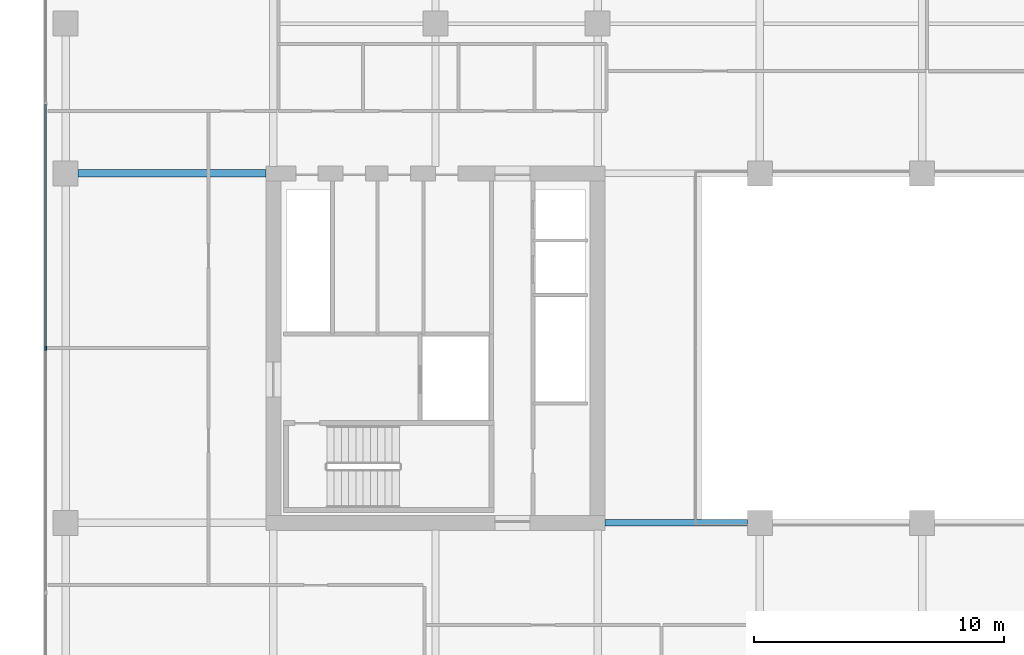
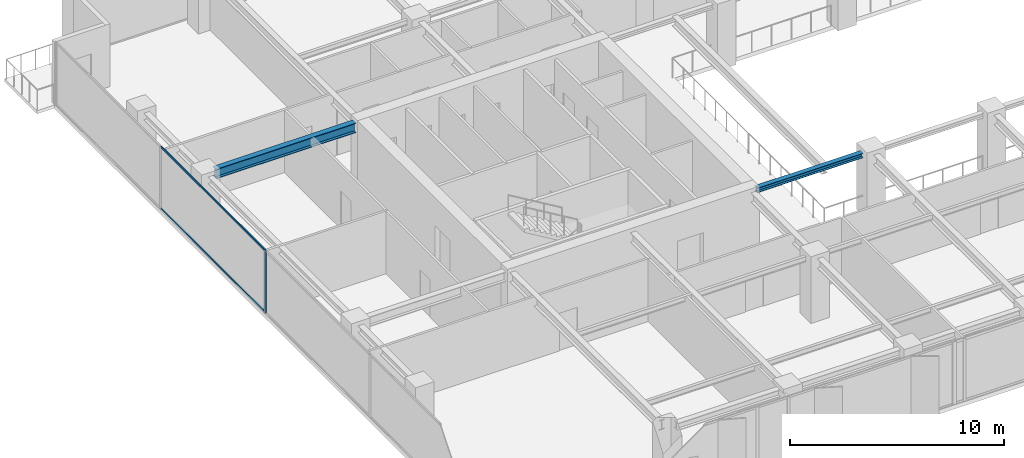
# One storey, part 4 of 22: 3 members, 2 beams, 1 element without a shape of its own.
"""IFC4 building model written with IfcOpenShell, lengths in metres."""

from ifc_helpers import new_model, si_unit, direction, frame, origin, origin_2d, place, context, subcontext, project, spatial, rectangle, i_section, extrude, material, layer, layer_set, material_profile, profile_set, type_object, element, aggregate, save


model = new_model("IFC4")

# Units and contexts
model_context = context("Model", 3, precision=1e-05, world=origin(), true_north=direction((0.0, 1.0)))
body_context = subcontext(model_context, "Body", "Model", "MODEL_VIEW")
ifc_project = project(units=[si_unit("LENGTHUNIT", "METRE"), si_unit("AREAUNIT", "SQUARE_METRE"), si_unit("VOLUMEUNIT", "CUBIC_METRE"), si_unit("PLANEANGLEUNIT", "RADIAN"), si_unit("MASSUNIT", "GRAM", prefix="KILO")], contexts=[model_context])

# Site, building, storey
site_placement = place(None, origin())
site = spatial("IfcSite", under=ifc_project, at=site_placement, CompositionType="ELEMENT")
building_placement = place(site_placement, origin())
building = spatial("IfcBuilding", under=site, at=building_placement, Name="Putna Gate Headquarters", CompositionType="ELEMENT")
storey_placement = place(building_placement, frame((0.0, 0.0, 148.0)))
storey = spatial("IfcBuildingStorey", under=building, at=storey_placement, Name="L36", CompositionType="ELEMENT", Elevation=148.0)

# Beams
ifc_material_1 = material(Name="Steel S355J2", Category="steel")
ifc_material_profile_1 = material_profile(ifc_material_1, i_section(OverallWidth=0.260009765625, OverallDepth=0.260009765625, WebThickness=0.010009765625, FlangeThickness=0.017578125, at=origin_2d()), Name="Steel S355J2")
ifc_profile_set_1 = profile_set([ifc_material_profile_1], Name="Steel S355J2")
beam_type_1 = type_object("IfcBeamType", Name="BM-ATRIUM-HEB260", PredefinedType="BEAM", material=ifc_profile_set_1)
beam_1_placement = place(storey_placement, frame((26.284912109375, 19.0, 3.44189453125), z_axis=(1.0, 0.0, 0.0), x_axis=(0.0, 1.0, 0.0)))
element("IfcBeam", 1, at=beam_1_placement, inside=storey, type_object=beam_type_1, Name="L36 Atrium Edge Beam AS1", PredefinedType="BEAM", context=body_context, shape_type="SweptSolid", body=[
    extrude(i_section(OverallWidth=0.260009765625, OverallDepth=0.260009765625, WebThickness=0.010009765625, FlangeThickness=0.017578125, at=origin_2d()), origin(), (0.0, 0.0, 1.0), 5.72705078125),
])
ifc_material_profile_2 = material_profile(ifc_material_1, i_section(OverallWidth=0.300048828125, OverallDepth=0.550048828125, WebThickness=0.014892578125, FlangeThickness=0.029052734375, at=origin_2d()), Name="Steel S355J2")
ifc_profile_set_2 = profile_set([ifc_material_profile_2], Name="Steel S355J2")
beam_type_2 = type_object("IfcBeamType", Name="BM-GIRD-Z3-HEB550", PredefinedType="USERDEFINED", material=ifc_profile_set_2)
beam_2_placement = place(storey_placement, frame((5.16796875, 33.0, 3.297119140625), z_axis=(1.0, 0.0, 0.0), x_axis=(0.0, 1.0, 0.0)))
element("IfcBeam", 2, at=beam_2_placement, inside=storey, type_object=beam_type_2, Name="L36 West Wing Girder Y33", ObjectType="GIRDER", PredefinedType="USERDEFINED", context=body_context, shape_type="SweptSolid", body=[
    extrude(i_section(OverallWidth=0.300048828125, OverallDepth=0.550048828125, WebThickness=0.014892578125, FlangeThickness=0.029052734375, at=origin_2d()), origin(), (0.0, 0.0, 1.0), 7.547119140625),
])

# Curtain wall, members
ifc_material_2 = material(Name="Anodised bronze aluminium curtain wall", Category="aluminium")
ifc_layer = layer(ifc_material_2, 0.159912109375)
ifc_layer_set = layer_set([ifc_layer], Name="Anodised bronze aluminium curtain wall")
curtain_wall_type = type_object("IfcCurtainWallType", Name="CW-SYS-Z3", PredefinedType="USERDEFINED", material=ifc_layer_set)
curtain_wall_placement = place(storey_placement, origin())
curtain_wall = element("IfcCurtainWall", 3, at=curtain_wall_placement, inside=storey, type_object=curtain_wall_type, Name="L36 West Curtain Wall", ObjectType="STICK CURTAIN WALL", PredefinedType="USERDEFINED")
ifc_material_3 = material(Name="Anodised bronze aluminium EN AW-6060", Category="aluminium")
ifc_material_profile_3 = material_profile(ifc_material_3, rectangle(XDim=0.06494140625, YDim=0.159912109375, at=origin_2d()), Name="Anodised bronze aluminium EN AW-6060")
ifc_profile_set_3 = profile_set([ifc_material_profile_3], Name="Anodised bronze aluminium EN AW-6060")
member_type_1 = type_object("IfcMemberType", Name="MULL-CWM-3", PredefinedType="MULLION", material=ifc_profile_set_3)
member_1_placement = place(storey_placement, frame((3.8798828125, 26.0, 0.0), z_axis=(0.0, 0.0, 1.0), x_axis=(-1.0, 0.0, 0.0)))
member_1 = element("IfcMember", 4, at=member_1_placement, type_object=member_type_1, Name="CWS-3 mullion 3", PredefinedType="MULLION", context=body_context, shape_type="SweptSolid", body=[
    extrude(rectangle(XDim=0.06494140625, YDim=0.159912109375, at=origin_2d()), origin(), (0.0, 0.0, 1.0), 3.572021484375),
])
ifc_material_profile_4 = material_profile(ifc_material_3, rectangle(XDim=0.06005859375, YDim=0.10009765625, at=origin_2d()), Name="Anodised bronze aluminium EN AW-6060")
ifc_profile_set_4 = profile_set([ifc_material_profile_4], Name="Anodised bronze aluminium EN AW-6060")
member_type_2 = type_object("IfcMemberType", Name="TRAN-CWT-3", PredefinedType="USERDEFINED", material=ifc_profile_set_4)
member_2_placement = place(storey_placement, frame((3.8798828125, 26.032470703125, 0.030029296875), z_axis=(0.0, 1.0, 0.0), x_axis=(-1.0, 0.0, 0.0)))
member_2 = element("IfcMember", 5, at=member_2_placement, type_object=member_type_2, Name="CWS-3 transom 3.1", ObjectType="TRANSOM", PredefinedType="USERDEFINED", context=body_context, shape_type="SweptSolid", body=[
    extrude(rectangle(XDim=0.06005859375, YDim=0.10009765625, at=origin_2d()), origin(), (0.0, 0.0, 1.0), 9.735107421875),
])
member_3_placement = place(storey_placement, frame((3.8798828125, 26.032470703125, 3.5419921875), z_axis=(0.0, 1.0, 0.0), x_axis=(-1.0, 0.0, 0.0)))
member_3 = element("IfcMember", 6, at=member_3_placement, type_object=member_type_2, Name="CWS-3 transom 3.2", ObjectType="TRANSOM", PredefinedType="USERDEFINED", context=body_context, shape_type="SweptSolid", body=[
    extrude(rectangle(XDim=0.06005859375, YDim=0.10009765625, at=origin_2d()), origin(), (0.0, 0.0, 1.0), 9.735107421875),
])
aggregate(curtain_wall, [member_1, member_2, member_3])

save(model, "model.ifc")
